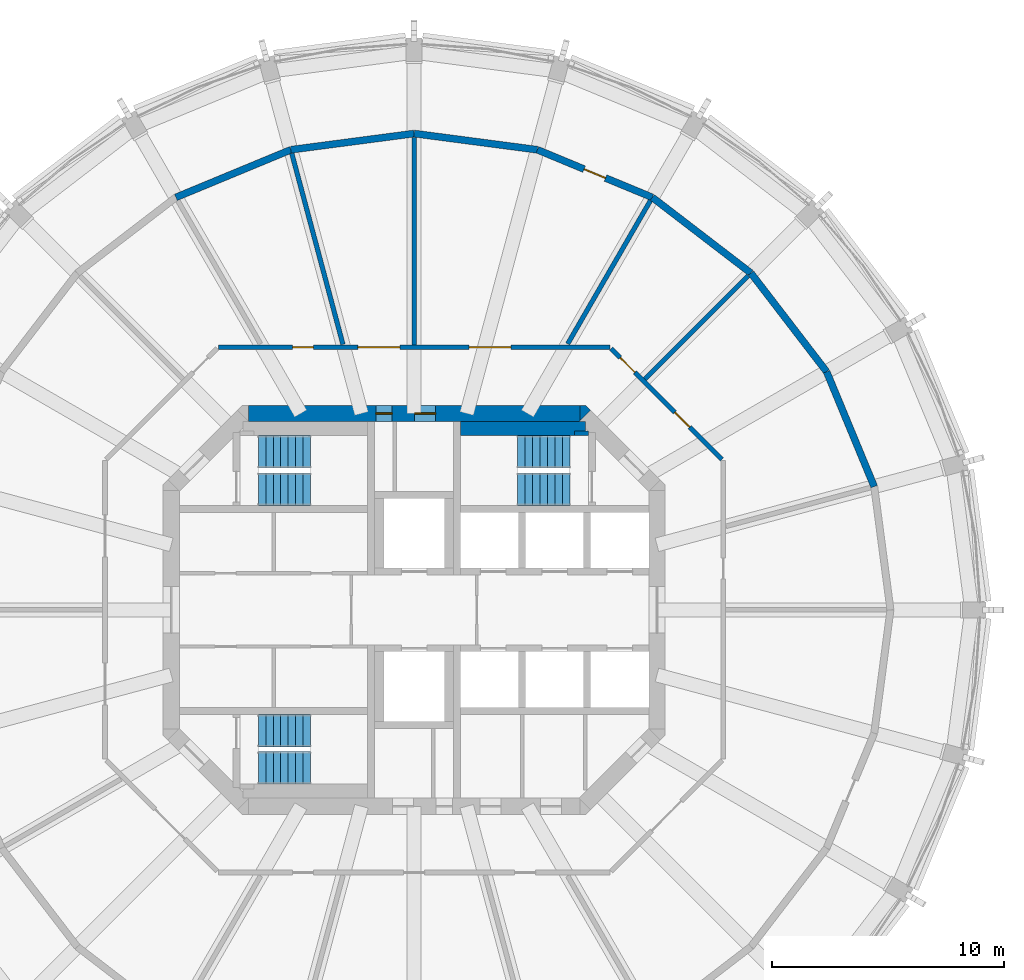
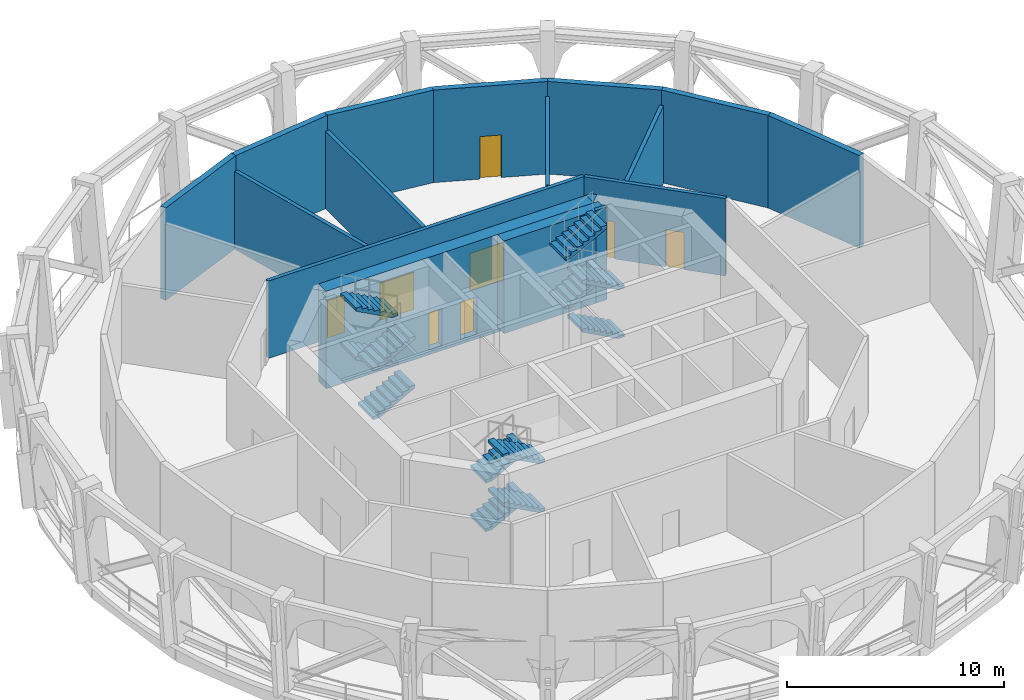
# One storey, part 6 of 9: 17 walls, 12 stair flights, 8 doors, 8 openings, 3 elements without a shape of their own.
"""IFC4 building model written with IfcOpenShell, lengths in metres."""

from ifc_helpers import new_model, si_unit, direction, frame, frame_2d, origin, place, context, subcontext, project, spatial, polyline, rectangle, outline, extrude, material, layer, layer_set, type_object, element, fill, aggregate, save


model = new_model("IFC4")

# Units and contexts
model_context = context("Model", 3, precision=1e-05, world=origin(), true_north=direction((0.0, 1.0)))
body_context = subcontext(model_context, "Body", "Model", "MODEL_VIEW")
ifc_project = project(units=[si_unit("LENGTHUNIT", "METRE"), si_unit("AREAUNIT", "SQUARE_METRE"), si_unit("VOLUMEUNIT", "CUBIC_METRE"), si_unit("PLANEANGLEUNIT", "RADIAN"), si_unit("MASSUNIT", "GRAM", prefix="KILO")], contexts=[model_context])

# Site, building, storey
site_placement = place(None, origin())
site = spatial("IfcSite", under=ifc_project, at=site_placement, CompositionType="ELEMENT")
building_placement = place(site_placement, origin())
building = spatial("IfcBuilding", under=site, at=building_placement, Name="Torre Triforio", CompositionType="ELEMENT")
storey_placement = place(building_placement, frame((0.0, 0.0, 248.300048828125)))
storey = spatial("IfcBuildingStorey", under=building, at=storey_placement, Name="L57", CompositionType="ELEMENT", Elevation=248.300048828125)

# Wall, openings, doors
ifc_material_1 = material(Name="Concrete C50", Category="concrete")
ifc_layer_1 = layer(ifc_material_1, 0.699951171875)
ifc_layer_set_1 = layer_set([ifc_layer_1], Name="Concrete C50")
wall_type_1 = type_object("IfcWallType", Name="Core wall 700 mm C50 EI 120", PredefinedType="SHEAR", material=ifc_layer_set_1)
wall_1_placement = place(storey_placement, frame((-7.1298828125, 8.449951171875, -0.280029296875), z_axis=(0.0, 0.0, 1.0), x_axis=(1.0, 0.0, 0.0)))
wall_1 = element("IfcWall", 1, at=wall_1_placement, inside=storey, type_object=wall_type_1, Name="Core wall", PredefinedType="SHEAR", context=body_context, shape_type="SweptSolid", body=[
    extrude(rectangle(XDim=14.259765625, YDim=0.699951171875, at=frame_2d((7.1298828125, 0.0))), origin(), (0.0, 0.0, 1.0), 5.5),
])
opening_1_placement = place(wall_1_placement, frame((5.47998046875, 0.0, 0.280029296875)))
opening_1 = element("IfcOpeningElement", 2, at=opening_1_placement, cuts=wall_1, Name="Opening RISER-N", PredefinedType="OPENING", context=body_context, shape_type="SweptSolid", body=[
    extrude(rectangle(XDim=0.699951171875, YDim=2.10009765625, at=frame_2d((0.35009765625, 1.050048828125))), frame((0.0, 0.35986328125, 0.0), z_axis=(0.0, -1.0, 0.0), x_axis=(1.0, 0.0, 0.0)), (0.0, 0.0, 1.0), 0.719970703125),
])
opening_2_placement = place(wall_1_placement, frame((7.155029296875, 0.0, 0.280029296875)))
opening_2 = element("IfcOpeningElement", 3, at=opening_2_placement, cuts=wall_1, Name="Opening NE-01B", PredefinedType="OPENING", context=body_context, shape_type="SweptSolid", body=[
    extrude(rectangle(XDim=0.89990234375, YDim=2.10009765625, at=frame_2d((0.449951171875, 1.050048828125))), frame((0.0, 0.35986328125, 0.0), z_axis=(0.0, -1.0, 0.0), x_axis=(1.0, 0.0, 0.0)), (0.0, 0.0, 1.0), 0.719970703125),
])
ifc_material_2 = material(Name="Hollow metal fire door leaf")
door_type_1 = type_object("IfcDoorType", Name="Plant room door 900 x 2100 EI 60", OperationType="NOTDEFINED", PredefinedType="DOOR", material=ifc_material_2)
door_1_placement = place(opening_2_placement, origin())
door_1 = element("IfcDoor", 4, at=door_1_placement, inside=storey, type_object=door_type_1, Name="Core door NE-01", OperationType="SINGLE_SWING_RIGHT", OverallHeight=2.10009765625, OverallWidth=0.89990234375, PredefinedType="DOOR", context=body_context, shape_type="SweptSolid", body=[
    extrude(rectangle(XDim=0.89990234375, YDim=2.10009765625, at=frame_2d((0.449951171875, 1.050048828125))), frame((0.0, 0.02490234375, 0.0), z_axis=(0.0, -1.0, 0.0), x_axis=(1.0, 0.0, 0.0)), (0.0, 0.0, 1.0), 0.050048828125),
])
fill(opening_2, door_1)
door_type_2 = type_object("IfcDoorType", Name="Riser door 700 x 2100 EI 60", OperationType="NOTDEFINED", PredefinedType="DOOR", material=ifc_material_2)
door_2_placement = place(opening_1_placement, origin())
door_2 = element("IfcDoor", 5, at=door_2_placement, inside=storey, type_object=door_type_2, Name="Core door RISER-N", OperationType="SINGLE_SWING_LEFT", OverallHeight=2.10009765625, OverallWidth=0.699951171875, PredefinedType="DOOR", context=body_context, shape_type="SweptSolid", body=[
    extrude(rectangle(XDim=0.699951171875, YDim=2.10009765625, at=frame_2d((0.35009765625, 1.050048828125))), frame((0.0, 0.02490234375, 0.0), z_axis=(0.0, -1.0, 0.0), x_axis=(1.0, 0.0, 0.0)), (0.0, 0.0, 1.0), 0.050048828125),
])
fill(opening_1, door_2)

# Walls
wall_2_placement = place(storey_placement, frame((0.0, 0.0, -0.280029296875)))
element("IfcWall", 6, at=wall_2_placement, inside=storey, type_object=wall_type_1, Name="Core wall", PredefinedType="SHEAR", context=body_context, shape_type="SweptSolid", body=[
    extrude(outline(polyline([(7.389892578125, 8.800048828125), (7.594970703125, 8.594970703125), (7.594970703125, 8.594970703125), (7.594970703125, 8.594970703125), (7.1298828125, 8.1298828125), (7.1298828125, 8.800048828125), (7.1298828125, 8.800048828125), (7.389892578125, 8.800048828125)])), origin(), (0.0, 0.0, 1.0), 5.5),
])
ifc_material_3 = material(Name="Aluminium louvre blades", Category="aluminium")
ifc_layer_2 = layer(ifc_material_3, 0.300048828125)
ifc_layer_set_2 = layer_set([ifc_layer_2], Name="Aluminium louvre blades")
wall_type_2 = type_object("IfcWallType", Name="Louvred enclosure wall 300", PredefinedType="STANDARD", material=ifc_layer_set_2)
for number, where, z_axis, x_axis, name in (
    (7, (19.801513671875, 5.305908203125, 0.0), (0.0, 0.0, 1.0), (-0.382713071139, 0.923867255172, 0.0), "Louvred enclosure L57 bay 02"),
    (8, (17.75341796875, 10.25, 0.0), (0.0, 0.0, 1.0), (-0.60876670321, 0.793349293227, 0.0), "Louvred enclosure L57 bay 03"),
    (9, (14.49560546875, 14.49560546875, 0.0), (0.0, 0.0, 1.0), (-0.793349293227, 0.60876670321, 0.0), "Louvred enclosure L57 bay 04"),
):
    element("IfcWall", number, at=place(storey_placement, frame(where, z_axis=z_axis, x_axis=x_axis)), inside=storey, type_object=wall_type_2, Name=name, PredefinedType="STANDARD", context=body_context, shape_type="SweptSolid", body=[
        extrude(rectangle(XDim=5.3515625, YDim=0.300048828125, at=frame_2d((2.67578125, 0.0))), origin(), (0.0, 0.0, 1.0), 5.219970703125),
    ])

# Wall, opening, door
wall_3_placement = place(storey_placement, frame((10.25, 17.75341796875, 0.0), z_axis=(0.0, 0.0, 1.0), x_axis=(-0.923867255172, 0.382713071139, 0.0)))
wall_3 = element("IfcWall", 10, at=wall_3_placement, inside=storey, type_object=wall_type_2, Name="Louvred enclosure L57 bay 05", PredefinedType="STANDARD", context=body_context, shape_type="SweptSolid", body=[
    extrude(rectangle(XDim=5.3515625, YDim=0.300048828125, at=frame_2d((2.67578125, 0.0))), origin(), (0.0, 0.0, 1.0), 5.219970703125),
])
opening_3_placement = place(wall_3_placement, frame((2.17578125, 0.0, 0.0)))
opening_3 = element("IfcOpeningElement", 11, at=opening_3_placement, cuts=wall_3, Name="Opening PL3-D05", PredefinedType="OPENING", context=body_context, shape_type="SweptSolid", body=[
    extrude(rectangle(XDim=1.0, YDim=2.39990234375, at=frame_2d((0.5, 1.199951171875))), frame((0.0, 0.159912109375, 0.0), z_axis=(0.0, -1.0, 0.0), x_axis=(1.0, 0.0, 0.0)), (0.0, 0.0, 1.0), 0.320068359375),
])
ifc_material_4 = material(Name="Galvanised hollow metal louvred door")
door_type_3 = type_object("IfcDoorType", Name="Deck service door 1000 x 2400", OperationType="NOTDEFINED", PredefinedType="DOOR", material=ifc_material_4)
door_3_placement = place(opening_3_placement, origin())
door_3 = element("IfcDoor", 12, at=door_3_placement, inside=storey, type_object=door_type_3, Name="Deck service door L57 bay 05", OperationType="SINGLE_SWING_LEFT", OverallHeight=2.39990234375, OverallWidth=1.0, PredefinedType="DOOR", context=body_context, shape_type="SweptSolid", body=[
    extrude(rectangle(XDim=1.0, YDim=2.39990234375, at=frame_2d((0.5, 1.199951171875))), frame((0.0, 0.02490234375, 0.0), z_axis=(0.0, -1.0, 0.0), x_axis=(1.0, 0.0, 0.0)), (0.0, 0.0, 1.0), 0.050048828125),
])
fill(opening_3, door_3)

# Walls
for number, where, z_axis, x_axis, name in (
    (13, (5.305908203125, 19.801513671875, 0.0), (0.0, 0.0, 1.0), (-0.991446064069, 0.130517056518, 0.0), "Louvred enclosure L57 bay 06"),
    (14, (0.0, 20.5, 0.0), (0.0, 0.0, 1.0), (-0.991446064069, -0.130517056518, 0.0), "Louvred enclosure L57 bay 07"),
):
    element("IfcWall", number, at=place(storey_placement, frame(where, z_axis=z_axis, x_axis=x_axis)), inside=storey, type_object=wall_type_2, Name=name, PredefinedType="STANDARD", context=body_context, shape_type="SweptSolid", body=[
        extrude(rectangle(XDim=5.351806640625, YDim=0.300048828125, at=frame_2d((2.67578125, 0.0))), origin(), (0.0, 0.0, 1.0), 5.219970703125),
    ])
wall_4_placement = place(storey_placement, frame((-5.305908203125, 19.801513671875, 0.0), z_axis=(0.0, 0.0, 1.0), x_axis=(-0.923867255172, -0.382713071139, 0.0)))
element("IfcWall", 15, at=wall_4_placement, inside=storey, type_object=wall_type_2, Name="Louvred enclosure L57 bay 08", PredefinedType="STANDARD", context=body_context, shape_type="SweptSolid", body=[
    extrude(rectangle(XDim=5.3515625, YDim=0.300048828125, at=frame_2d((2.67578125, 0.0))), origin(), (0.0, 0.0, 1.0), 5.219970703125),
])

# Wall, openings, doors
ifc_material_5 = material(Name="Masonry block", Category="masonry")
ifc_layer_3 = layer(ifc_material_5, 0.199951171875)
ifc_layer_set_3 = layer_set([ifc_layer_3], Name="Masonry block")
wall_type_3 = type_object("IfcWallType", Name="Plant room wall 200 mm block EI 120", PredefinedType="PARTITIONING", material=ifc_layer_set_3)
wall_5_placement = place(storey_placement, frame((-8.425537109375, 11.300048828125, 0.0), z_axis=(0.0, 0.0, 1.0), x_axis=(1.0, 0.0, 0.0)))
wall_5 = element("IfcWall", 16, at=wall_5_placement, inside=storey, type_object=wall_type_3, Name="Partition 6", PredefinedType="PARTITIONING", context=body_context, shape_type="SweptSolid", body=[
    extrude(rectangle(XDim=16.85107421875, YDim=0.199951171875, at=frame_2d((8.425537109375, 0.0))), origin(), (0.0, 0.0, 1.0), 4.369873046875),
])
opening_4_placement = place(wall_5_placement, frame((10.79150390625, 0.0, 0.0)))
opening_4 = element("IfcOpeningElement", 17, at=opening_4_placement, cuts=wall_5, Name="Opening PL3-11", PredefinedType="OPENING", context=body_context, shape_type="SweptSolid", body=[
    extrude(rectangle(XDim=1.800048828125, YDim=2.10009765625, at=frame_2d((0.89990234375, 1.050048828125))), frame((0.0, 0.10986328125, 0.0), z_axis=(0.0, -1.0, 0.0), x_axis=(1.0, 0.0, 0.0)), (0.0, 0.0, 1.0), 0.219970703125),
])
opening_5_placement = place(wall_5_placement, frame((6.0107421875, 0.0, 0.0)))
opening_5 = element("IfcOpeningElement", 18, at=opening_5_placement, cuts=wall_5, Name="Opening PL3-12", PredefinedType="OPENING", context=body_context, shape_type="SweptSolid", body=[
    extrude(rectangle(XDim=1.800048828125, YDim=2.10009765625, at=frame_2d((0.89990234375, 1.050048828125))), frame((0.0, 0.10986328125, 0.0), z_axis=(0.0, -1.0, 0.0), x_axis=(1.0, 0.0, 0.0)), (0.0, 0.0, 1.0), 0.219970703125),
])
opening_6_placement = place(wall_5_placement, frame((3.195556640625, 0.0, 0.0)))
opening_6 = element("IfcOpeningElement", 19, at=opening_6_placement, cuts=wall_5, Name="Opening PL3-13", PredefinedType="OPENING", context=body_context, shape_type="SweptSolid", body=[
    extrude(rectangle(XDim=0.89990234375, YDim=2.10009765625, at=frame_2d((0.449951171875, 1.050048828125))), frame((0.0, 0.10986328125, 0.0), z_axis=(0.0, -1.0, 0.0), x_axis=(1.0, 0.0, 0.0)), (0.0, 0.0, 1.0), 0.219970703125),
])
door_type_4 = type_object("IfcDoorType", Name="Door 1800 x 2100 double leaf EI 60", OperationType="DOUBLE_DOOR_SINGLE_SWING", PredefinedType="DOOR", material=ifc_material_2)
door_4_placement = place(opening_4_placement, origin())
door_4 = element("IfcDoor", 20, at=door_4_placement, inside=storey, type_object=door_type_4, Name="Door PL3-11", OperationType="DOUBLE_DOOR_SINGLE_SWING", OverallHeight=2.10009765625, OverallWidth=1.800048828125, PredefinedType="DOOR", context=body_context, shape_type="SweptSolid", body=[
    extrude(rectangle(XDim=1.800048828125, YDim=2.10009765625, at=frame_2d((0.89990234375, 1.050048828125))), frame((0.0, 0.02490234375, 0.0), z_axis=(0.0, -1.0, 0.0), x_axis=(1.0, 0.0, 0.0)), (0.0, 0.0, 1.0), 0.050048828125),
])
fill(opening_4, door_4)
door_5_placement = place(opening_5_placement, origin())
door_5 = element("IfcDoor", 21, at=door_5_placement, inside=storey, type_object=door_type_4, Name="Door PL3-12", OperationType="DOUBLE_DOOR_SINGLE_SWING", OverallHeight=2.10009765625, OverallWidth=1.800048828125, PredefinedType="DOOR", context=body_context, shape_type="SweptSolid", body=[
    extrude(rectangle(XDim=1.800048828125, YDim=2.10009765625, at=frame_2d((0.89990234375, 1.050048828125))), frame((0.0, 0.02490234375, 0.0), z_axis=(0.0, -1.0, 0.0), x_axis=(1.0, 0.0, 0.0)), (0.0, 0.0, 1.0), 0.050048828125),
])
fill(opening_5, door_5)
door_type_5 = type_object("IfcDoorType", Name="Door 900 x 2100 single leaf EI 60", OperationType="NOTDEFINED", PredefinedType="DOOR", material=ifc_material_2)
door_6_placement = place(opening_6_placement, origin())
door_6 = element("IfcDoor", 22, at=door_6_placement, inside=storey, type_object=door_type_5, Name="Door PL3-13", OperationType="SINGLE_SWING_LEFT", OverallHeight=2.10009765625, OverallWidth=0.89990234375, PredefinedType="DOOR", context=body_context, shape_type="SweptSolid", body=[
    extrude(rectangle(XDim=0.89990234375, YDim=2.10009765625, at=frame_2d((0.449951171875, 1.050048828125))), frame((0.0, 0.02490234375, 0.0), z_axis=(0.0, -1.0, 0.0), x_axis=(1.0, 0.0, 0.0)), (0.0, 0.0, 1.0), 0.050048828125),
])
fill(opening_6, door_6)

wall_6_placement = place(storey_placement, frame((8.47509765625, 11.25048828125, 0.0), z_axis=(0.0, 0.0, 1.0), x_axis=(0.707106781187, -0.707106781187, 0.0)))
wall_6 = element("IfcWall", 23, at=wall_6_placement, inside=storey, type_object=wall_type_3, Name="Partition 7", PredefinedType="PARTITIONING", context=body_context, shape_type="SweptSolid", body=[
    extrude(rectangle(XDim=6.75341796875, YDim=0.199951171875, at=frame_2d((3.376708984375, 0.0))), origin(), (0.0, 0.0, 1.0), 4.369873046875),
])
opening_7_placement = place(wall_6_placement, frame((3.883056640625, 0.0, 0.0)))
opening_7 = element("IfcOpeningElement", 24, at=opening_7_placement, cuts=wall_6, Name="Opening PL3-09", PredefinedType="OPENING", context=body_context, shape_type="SweptSolid", body=[
    extrude(rectangle(XDim=0.89990234375, YDim=2.10009765625, at=frame_2d((0.449951171875, 1.050048828125))), frame((0.0, 0.10986328125, 0.0), z_axis=(0.0, -1.0, 0.0), x_axis=(1.0, 0.0, 0.0)), (0.0, 0.0, 1.0), 0.219970703125),
])
opening_8_placement = place(wall_6_placement, frame((0.556396484375, 0.0, 0.0)))
opening_8 = element("IfcOpeningElement", 25, at=opening_8_placement, cuts=wall_6, Name="Opening PL3-10", PredefinedType="OPENING", context=body_context, shape_type="SweptSolid", body=[
    extrude(rectangle(XDim=0.89990234375, YDim=2.10009765625, at=frame_2d((0.449951171875, 1.050048828125))), frame((0.0, 0.10986328125, 0.0), z_axis=(0.0, -1.0, 0.0), x_axis=(1.0, 0.0, 0.0)), (0.0, 0.0, 1.0), 0.219970703125),
])
door_7_placement = place(opening_7_placement, origin())
door_7 = element("IfcDoor", 26, at=door_7_placement, inside=storey, type_object=door_type_5, Name="Door PL3-09", OperationType="SINGLE_SWING_LEFT", OverallHeight=2.10009765625, OverallWidth=0.89990234375, PredefinedType="DOOR", context=body_context, shape_type="SweptSolid", body=[
    extrude(rectangle(XDim=0.89990234375, YDim=2.10009765625, at=frame_2d((0.449951171875, 1.050048828125))), frame((0.0, 0.02490234375, 0.0), z_axis=(0.0, -1.0, 0.0), x_axis=(1.0, 0.0, 0.0)), (0.0, 0.0, 1.0), 0.050048828125),
])
fill(opening_7, door_7)
door_8_placement = place(opening_8_placement, origin())
door_8 = element("IfcDoor", 27, at=door_8_placement, inside=storey, type_object=door_type_5, Name="Door PL3-10", OperationType="SINGLE_SWING_LEFT", OverallHeight=2.10009765625, OverallWidth=0.89990234375, PredefinedType="DOOR", context=body_context, shape_type="SweptSolid", body=[
    extrude(rectangle(XDim=0.89990234375, YDim=2.10009765625, at=frame_2d((0.449951171875, 1.050048828125))), frame((0.0, 0.02490234375, 0.0), z_axis=(0.0, -1.0, 0.0), x_axis=(1.0, 0.0, 0.0)), (0.0, 0.0, 1.0), 0.050048828125),
])
fill(opening_8, door_8)

# Walls
wall_7_placement = place(storey_placement, frame((9.93359375, 9.93359375, 0.0), z_axis=(0.0, 0.0, 1.0), x_axis=(0.707106781187, 0.707106781187, 0.0)))
element("IfcWall", 28, at=wall_7_placement, inside=storey, type_object=wall_type_3, Name="Partition 11", PredefinedType="PARTITIONING", context=body_context, shape_type="SweptSolid", body=[
    extrude(rectangle(XDim=6.288330078125, YDim=0.199951171875, at=frame_2d((3.14404296875, 0.0))), origin(), (0.0, 0.0, 1.0), 4.369873046875),
])
wall_8_placement = place(storey_placement, frame((6.6103515625, 11.449462890625, 0.0), z_axis=(0.0, 0.0, 1.0), x_axis=(0.500013496215, 0.866017611601, 0.0)))
element("IfcWall", 29, at=wall_8_placement, inside=storey, type_object=wall_type_3, Name="Partition 12", PredefinedType="PARTITIONING", context=body_context, shape_type="SweptSolid", body=[
    extrude(rectangle(XDim=7.115966796875, YDim=0.199951171875, at=frame_2d((3.55810546875, 0.0))), origin(), (0.0, 0.0, 1.0), 4.369873046875),
])
wall_9_placement = place(storey_placement, frame((0.0, 11.39990234375, 0.0), z_axis=(0.0, 0.0, 1.0), x_axis=(0.0, 1.0, 0.0)))
element("IfcWall", 30, at=wall_9_placement, inside=storey, type_object=wall_type_3, Name="Partition 13", PredefinedType="PARTITIONING", context=body_context, shape_type="SweptSolid", body=[
    extrude(rectangle(XDim=8.936767578125, YDim=0.199951171875, at=frame_2d((4.46826171875, 0.0))), origin(), (0.0, 0.0, 1.0), 4.369873046875),
])
wall_10_placement = place(storey_placement, frame((-3.0615234375, 11.425537109375, 0.0), z_axis=(0.0, 0.0, 1.0), x_axis=(-0.258800151074, 0.965930888731, 0.0)))
element("IfcWall", 31, at=wall_10_placement, inside=storey, type_object=wall_type_3, Name="Partition 14", PredefinedType="PARTITIONING", context=body_context, shape_type="SweptSolid", body=[
    extrude(rectangle(XDim=8.508056640625, YDim=0.199951171875, at=frame_2d((4.25390625, 0.0))), origin(), (0.0, 0.0, 1.0), 4.369873046875),
])
ifc_layer_4 = layer(ifc_material_1, 0.199951171875)
ifc_layer_set_4 = layer_set([ifc_layer_4], Name="Concrete C50")
wall_type_4 = type_object("IfcWallType", Name="Stair wall 200 mm C50 EI 120", PredefinedType="SHEAR", material=ifc_layer_set_4)
wall_11_placement = place(storey_placement, frame((6.89990234375, 7.60009765625, 0.0), z_axis=(0.0, 0.0, 1.0), x_axis=(1.0, 0.0, 0.0)))
element("IfcWall", 32, at=wall_11_placement, inside=storey, type_object=wall_type_4, Name="Stair wall", PredefinedType="SHEAR", context=body_context, shape_type="SweptSolid", body=[
    extrude(rectangle(XDim=0.60009765625, YDim=0.199951171875, at=frame_2d((0.300048828125, 0.0))), origin(), (0.0, 0.0, 1.0), 5.219970703125),
])
ifc_layer_5 = layer(ifc_material_1, 0.60009765625)
ifc_layer_set_5 = layer_set([ifc_layer_5], Name="Concrete C50")
wall_type_5 = type_object("IfcWallType", Name="Stair wall 600 mm C50 EI 120", PredefinedType="SHEAR", material=ifc_layer_set_5)
wall_12_placement = place(storey_placement, frame((2.0, 7.800048828125, 0.0), z_axis=(0.0, 0.0, 1.0), x_axis=(1.0, 0.0, 0.0)))
element("IfcWall", 33, at=wall_12_placement, inside=storey, type_object=wall_type_5, Name="Stair wall", PredefinedType="SHEAR", context=body_context, shape_type="SweptSolid", body=[
    extrude(rectangle(XDim=5.3701171875, YDim=0.60009765625, at=frame_2d((2.68505859375, 0.0))), origin(), (0.0, 0.0, 1.0), 5.219970703125),
])

# Stair, stair flights
ifc_material_6 = material(Name="Concrete C40", Category="concrete")
stair_type = type_object("IfcStairType", Name="STAIR DOUBLE RETURN 320 GOING", PredefinedType="DOUBLE_RETURN_STAIR", material=ifc_material_6)
stair_1_placement = place(storey_placement, origin())
stair_1 = element("IfcStair", 34, at=stair_1_placement, inside=storey, type_object=stair_type, Name="Exit stair 1", PredefinedType="DOUBLE_RETURN_STAIR")
stair_flight_type = type_object("IfcStairFlightType", Name="STAIR FLIGHT 1400", PredefinedType="STRAIGHT", material=ifc_material_6)
stair_flight_1_placement = place(storey_placement, frame((-6.699951171875, 5.199951171875, 0.0), z_axis=(0.0, 0.0, 1.0), x_axis=(1.0, 0.0, 0.0)))
stair_flight_1 = element("IfcStairFlight", 35, at=stair_flight_1_placement, type_object=stair_flight_type, Name="ST1 flight 1", NumberOfRisers=8, NumberOfTreads=7, PredefinedType="STRAIGHT", RiserHeight=0.171875, TreadLength=0.32, context=body_context, shape_type="SweptSolid", body=[
    extrude(outline(polyline([(0.0, 0.0), (0.0, 0.171875), (0.320068359375, 0.171875), (0.320068359375, 0.34375), (0.639892578125, 0.34375), (0.639892578125, 0.515625), (0.9599609375, 0.515625), (0.9599609375, 0.6875), (1.280029296875, 0.6875), (1.280029296875, 0.859375), (1.60009765625, 0.859375), (1.60009765625, 1.03125), (1.919921875, 1.03125), (1.919921875, 1.203125), (2.239990234375, 1.203125), (2.239990234375, 1.375), (2.239990234375, 1.032958984375), (0.31689453125, 0.0), (0.0, 0.0)])), frame((0.0, 0.699951171875, 0.0), z_axis=(0.0, -1.0, 0.0), x_axis=(1.0, 0.0, 0.0)), (0.0, 0.0, 1.0), 1.39990234375),
])
stair_flight_2_placement = place(storey_placement, frame((-4.4599609375, 6.800048828125, 1.375), z_axis=(0.0, 0.0, 1.0), x_axis=(-1.0, 0.0, 0.0)))
stair_flight_2 = element("IfcStairFlight", 36, at=stair_flight_2_placement, type_object=stair_flight_type, Name="ST1 flight 2", NumberOfRisers=8, NumberOfTreads=7, PredefinedType="STRAIGHT", RiserHeight=0.171875, TreadLength=0.32, context=body_context, shape_type="SweptSolid", body=[
    extrude(outline(polyline([(0.0, 0.0), (0.0, 0.171875), (0.320068359375, 0.171875), (0.320068359375, 0.34375), (0.639892578125, 0.34375), (0.639892578125, 0.515625), (0.9599609375, 0.515625), (0.9599609375, 0.6875), (1.280029296875, 0.6875), (1.280029296875, 0.859375), (1.60009765625, 0.859375), (1.60009765625, 1.03125), (1.919921875, 1.03125), (1.919921875, 1.203125), (2.239990234375, 1.203125), (2.239990234375, 1.375), (2.239990234375, 1.032958984375), (0.31689453125, 0.0), (0.0, 0.0)])), frame((0.0, 0.699951171875, 0.0), z_axis=(0.0, -1.0, 0.0), x_axis=(1.0, 0.0, 0.0)), (0.0, 0.0, 1.0), 1.39990234375),
])
stair_flight_3_placement = place(storey_placement, frame((-6.699951171875, 5.199951171875, 2.75), z_axis=(0.0, 0.0, 1.0), x_axis=(1.0, 0.0, 0.0)))
stair_flight_3 = element("IfcStairFlight", 37, at=stair_flight_3_placement, type_object=stair_flight_type, Name="ST1 flight 3", NumberOfRisers=8, NumberOfTreads=7, PredefinedType="STRAIGHT", RiserHeight=0.171875, TreadLength=0.32, context=body_context, shape_type="SweptSolid", body=[
    extrude(outline(polyline([(0.0, 0.0), (0.0, 0.171875), (0.320068359375, 0.171875), (0.320068359375, 0.34375), (0.639892578125, 0.34375), (0.639892578125, 0.515625), (0.9599609375, 0.515625), (0.9599609375, 0.6875), (1.280029296875, 0.6875), (1.280029296875, 0.859375), (1.60009765625, 0.859375), (1.60009765625, 1.03125), (1.919921875, 1.03125), (1.919921875, 1.203125), (2.239990234375, 1.203125), (2.239990234375, 1.375), (2.239990234375, 1.032958984375), (0.31689453125, 0.0), (0.0, 0.0)])), frame((0.0, 0.699951171875, 0.0), z_axis=(0.0, -1.0, 0.0), x_axis=(1.0, 0.0, 0.0)), (0.0, 0.0, 1.0), 1.39990234375),
])
stair_flight_4_placement = place(storey_placement, frame((-4.4599609375, 6.800048828125, 4.125), z_axis=(0.0, 0.0, 1.0), x_axis=(-1.0, 0.0, 0.0)))
stair_flight_4 = element("IfcStairFlight", 38, at=stair_flight_4_placement, type_object=stair_flight_type, Name="ST1 flight 4", NumberOfRisers=8, NumberOfTreads=7, PredefinedType="STRAIGHT", RiserHeight=0.171875, TreadLength=0.32, context=body_context, shape_type="SweptSolid", body=[
    extrude(outline(polyline([(0.0, 0.0), (0.0, 0.171875), (0.320068359375, 0.171875), (0.320068359375, 0.34375), (0.639892578125, 0.34375), (0.639892578125, 0.515625), (0.9599609375, 0.515625), (0.9599609375, 0.6875), (1.280029296875, 0.6875), (1.280029296875, 0.859375), (1.60009765625, 0.859375), (1.60009765625, 1.03125), (1.919921875, 1.03125), (1.919921875, 1.203125), (2.239990234375, 1.203125), (2.239990234375, 1.375), (2.239990234375, 1.032958984375), (0.31689453125, 0.0), (0.0, 0.0)])), frame((0.0, 0.699951171875, 0.0), z_axis=(0.0, -1.0, 0.0), x_axis=(1.0, 0.0, 0.0)), (0.0, 0.0, 1.0), 1.39990234375),
])
aggregate(stair_1, [stair_flight_1, stair_flight_2, stair_flight_3, stair_flight_4])

stair_2_placement = place(storey_placement, origin())
stair_2 = element("IfcStair", 39, at=stair_2_placement, inside=storey, type_object=stair_type, Name="Exit stair 2", PredefinedType="DOUBLE_RETURN_STAIR")
stair_flight_5_placement = place(storey_placement, frame((6.699951171875, 5.199951171875, 0.0), z_axis=(0.0, 0.0, 1.0), x_axis=(-1.0, 0.0, 0.0)))
stair_flight_5 = element("IfcStairFlight", 40, at=stair_flight_5_placement, type_object=stair_flight_type, Name="ST2 flight 1", NumberOfRisers=8, NumberOfTreads=7, PredefinedType="STRAIGHT", RiserHeight=0.171875, TreadLength=0.32, context=body_context, shape_type="SweptSolid", body=[
    extrude(outline(polyline([(0.0, 0.0), (0.0, 0.171875), (0.320068359375, 0.171875), (0.320068359375, 0.34375), (0.639892578125, 0.34375), (0.639892578125, 0.515625), (0.9599609375, 0.515625), (0.9599609375, 0.6875), (1.280029296875, 0.6875), (1.280029296875, 0.859375), (1.60009765625, 0.859375), (1.60009765625, 1.03125), (1.919921875, 1.03125), (1.919921875, 1.203125), (2.239990234375, 1.203125), (2.239990234375, 1.375), (2.239990234375, 1.032958984375), (0.31689453125, 0.0), (0.0, 0.0)])), frame((0.0, 0.699951171875, 0.0), z_axis=(0.0, -1.0, 0.0), x_axis=(1.0, 0.0, 0.0)), (0.0, 0.0, 1.0), 1.39990234375),
])
stair_flight_6_placement = place(storey_placement, frame((4.4599609375, 6.800048828125, 1.375), z_axis=(0.0, 0.0, 1.0), x_axis=(1.0, 0.0, 0.0)))
stair_flight_6 = element("IfcStairFlight", 41, at=stair_flight_6_placement, type_object=stair_flight_type, Name="ST2 flight 2", NumberOfRisers=8, NumberOfTreads=7, PredefinedType="STRAIGHT", RiserHeight=0.171875, TreadLength=0.32, context=body_context, shape_type="SweptSolid", body=[
    extrude(outline(polyline([(0.0, 0.0), (0.0, 0.171875), (0.320068359375, 0.171875), (0.320068359375, 0.34375), (0.639892578125, 0.34375), (0.639892578125, 0.515625), (0.9599609375, 0.515625), (0.9599609375, 0.6875), (1.280029296875, 0.6875), (1.280029296875, 0.859375), (1.60009765625, 0.859375), (1.60009765625, 1.03125), (1.919921875, 1.03125), (1.919921875, 1.203125), (2.239990234375, 1.203125), (2.239990234375, 1.375), (2.239990234375, 1.032958984375), (0.31689453125, 0.0), (0.0, 0.0)])), frame((0.0, 0.699951171875, 0.0), z_axis=(0.0, -1.0, 0.0), x_axis=(1.0, 0.0, 0.0)), (0.0, 0.0, 1.0), 1.39990234375),
])
stair_flight_7_placement = place(storey_placement, frame((6.699951171875, 5.199951171875, 2.75), z_axis=(0.0, 0.0, 1.0), x_axis=(-1.0, 0.0, 0.0)))
stair_flight_7 = element("IfcStairFlight", 42, at=stair_flight_7_placement, type_object=stair_flight_type, Name="ST2 flight 3", NumberOfRisers=8, NumberOfTreads=7, PredefinedType="STRAIGHT", RiserHeight=0.171875, TreadLength=0.32, context=body_context, shape_type="SweptSolid", body=[
    extrude(outline(polyline([(0.0, 0.0), (0.0, 0.171875), (0.320068359375, 0.171875), (0.320068359375, 0.34375), (0.639892578125, 0.34375), (0.639892578125, 0.515625), (0.9599609375, 0.515625), (0.9599609375, 0.6875), (1.280029296875, 0.6875), (1.280029296875, 0.859375), (1.60009765625, 0.859375), (1.60009765625, 1.03125), (1.919921875, 1.03125), (1.919921875, 1.203125), (2.239990234375, 1.203125), (2.239990234375, 1.375), (2.239990234375, 1.032958984375), (0.31689453125, 0.0), (0.0, 0.0)])), frame((0.0, 0.699951171875, 0.0), z_axis=(0.0, -1.0, 0.0), x_axis=(1.0, 0.0, 0.0)), (0.0, 0.0, 1.0), 1.39990234375),
])
stair_flight_8_placement = place(storey_placement, frame((4.4599609375, 6.800048828125, 4.125), z_axis=(0.0, 0.0, 1.0), x_axis=(1.0, 0.0, 0.0)))
stair_flight_8 = element("IfcStairFlight", 43, at=stair_flight_8_placement, type_object=stair_flight_type, Name="ST2 flight 4", NumberOfRisers=8, NumberOfTreads=7, PredefinedType="STRAIGHT", RiserHeight=0.171875, TreadLength=0.32, context=body_context, shape_type="SweptSolid", body=[
    extrude(outline(polyline([(0.0, 0.0), (0.0, 0.171875), (0.320068359375, 0.171875), (0.320068359375, 0.34375), (0.639892578125, 0.34375), (0.639892578125, 0.515625), (0.9599609375, 0.515625), (0.9599609375, 0.6875), (1.280029296875, 0.6875), (1.280029296875, 0.859375), (1.60009765625, 0.859375), (1.60009765625, 1.03125), (1.919921875, 1.03125), (1.919921875, 1.203125), (2.239990234375, 1.203125), (2.239990234375, 1.375), (2.239990234375, 1.032958984375), (0.31689453125, 0.0), (0.0, 0.0)])), frame((0.0, 0.699951171875, 0.0), z_axis=(0.0, -1.0, 0.0), x_axis=(1.0, 0.0, 0.0)), (0.0, 0.0, 1.0), 1.39990234375),
])
aggregate(stair_2, [stair_flight_5, stair_flight_6, stair_flight_7, stair_flight_8])

stair_3_placement = place(storey_placement, origin())
stair_3 = element("IfcStair", 44, at=stair_3_placement, inside=storey, type_object=stair_type, Name="Exit stair 3", PredefinedType="DOUBLE_RETURN_STAIR")
stair_flight_9_placement = place(storey_placement, frame((-6.699951171875, -5.199951171875, 0.0), z_axis=(0.0, 0.0, 1.0), x_axis=(1.0, 0.0, 0.0)))
stair_flight_9 = element("IfcStairFlight", 45, at=stair_flight_9_placement, type_object=stair_flight_type, Name="ST3 flight 1", NumberOfRisers=8, NumberOfTreads=7, PredefinedType="STRAIGHT", RiserHeight=0.171875, TreadLength=0.32, context=body_context, shape_type="SweptSolid", body=[
    extrude(outline(polyline([(0.0, 0.0), (0.0, 0.171875), (0.320068359375, 0.171875), (0.320068359375, 0.34375), (0.639892578125, 0.34375), (0.639892578125, 0.515625), (0.9599609375, 0.515625), (0.9599609375, 0.6875), (1.280029296875, 0.6875), (1.280029296875, 0.859375), (1.60009765625, 0.859375), (1.60009765625, 1.03125), (1.919921875, 1.03125), (1.919921875, 1.203125), (2.239990234375, 1.203125), (2.239990234375, 1.375), (2.239990234375, 1.032958984375), (0.31689453125, 0.0), (0.0, 0.0)])), frame((0.0, 0.699951171875, 0.0), z_axis=(0.0, -1.0, 0.0), x_axis=(1.0, 0.0, 0.0)), (0.0, 0.0, 1.0), 1.39990234375),
])
stair_flight_10_placement = place(storey_placement, frame((-4.4599609375, -6.800048828125, 1.375), z_axis=(0.0, 0.0, 1.0), x_axis=(-1.0, 0.0, 0.0)))
stair_flight_10 = element("IfcStairFlight", 46, at=stair_flight_10_placement, type_object=stair_flight_type, Name="ST3 flight 2", NumberOfRisers=8, NumberOfTreads=7, PredefinedType="STRAIGHT", RiserHeight=0.171875, TreadLength=0.32, context=body_context, shape_type="SweptSolid", body=[
    extrude(outline(polyline([(0.0, 0.0), (0.0, 0.171875), (0.320068359375, 0.171875), (0.320068359375, 0.34375), (0.639892578125, 0.34375), (0.639892578125, 0.515625), (0.9599609375, 0.515625), (0.9599609375, 0.6875), (1.280029296875, 0.6875), (1.280029296875, 0.859375), (1.60009765625, 0.859375), (1.60009765625, 1.03125), (1.919921875, 1.03125), (1.919921875, 1.203125), (2.239990234375, 1.203125), (2.239990234375, 1.375), (2.239990234375, 1.032958984375), (0.31689453125, 0.0), (0.0, 0.0)])), frame((0.0, 0.699951171875, 0.0), z_axis=(0.0, -1.0, 0.0), x_axis=(1.0, 0.0, 0.0)), (0.0, 0.0, 1.0), 1.39990234375),
])
stair_flight_11_placement = place(storey_placement, frame((-6.699951171875, -5.199951171875, 2.75), z_axis=(0.0, 0.0, 1.0), x_axis=(1.0, 0.0, 0.0)))
stair_flight_11 = element("IfcStairFlight", 47, at=stair_flight_11_placement, type_object=stair_flight_type, Name="ST3 flight 3", NumberOfRisers=8, NumberOfTreads=7, PredefinedType="STRAIGHT", RiserHeight=0.171875, TreadLength=0.32, context=body_context, shape_type="SweptSolid", body=[
    extrude(outline(polyline([(0.0, 0.0), (0.0, 0.171875), (0.320068359375, 0.171875), (0.320068359375, 0.34375), (0.639892578125, 0.34375), (0.639892578125, 0.515625), (0.9599609375, 0.515625), (0.9599609375, 0.6875), (1.280029296875, 0.6875), (1.280029296875, 0.859375), (1.60009765625, 0.859375), (1.60009765625, 1.03125), (1.919921875, 1.03125), (1.919921875, 1.203125), (2.239990234375, 1.203125), (2.239990234375, 1.375), (2.239990234375, 1.032958984375), (0.31689453125, 0.0), (0.0, 0.0)])), frame((0.0, 0.699951171875, 0.0), z_axis=(0.0, -1.0, 0.0), x_axis=(1.0, 0.0, 0.0)), (0.0, 0.0, 1.0), 1.39990234375),
])
stair_flight_12_placement = place(storey_placement, frame((-4.4599609375, -6.800048828125, 4.125), z_axis=(0.0, 0.0, 1.0), x_axis=(-1.0, 0.0, 0.0)))
stair_flight_12 = element("IfcStairFlight", 48, at=stair_flight_12_placement, type_object=stair_flight_type, Name="ST3 flight 4", NumberOfRisers=8, NumberOfTreads=7, PredefinedType="STRAIGHT", RiserHeight=0.171875, TreadLength=0.32, context=body_context, shape_type="SweptSolid", body=[
    extrude(outline(polyline([(0.0, 0.0), (0.0, 0.171875), (0.320068359375, 0.171875), (0.320068359375, 0.34375), (0.639892578125, 0.34375), (0.639892578125, 0.515625), (0.9599609375, 0.515625), (0.9599609375, 0.6875), (1.280029296875, 0.6875), (1.280029296875, 0.859375), (1.60009765625, 0.859375), (1.60009765625, 1.03125), (1.919921875, 1.03125), (1.919921875, 1.203125), (2.239990234375, 1.203125), (2.239990234375, 1.375), (2.239990234375, 1.032958984375), (0.31689453125, 0.0), (0.0, 0.0)])), frame((0.0, 0.699951171875, 0.0), z_axis=(0.0, -1.0, 0.0), x_axis=(1.0, 0.0, 0.0)), (0.0, 0.0, 1.0), 1.39990234375),
])
aggregate(stair_3, [stair_flight_9, stair_flight_10, stair_flight_11, stair_flight_12])

save(model, "model.ifc")
